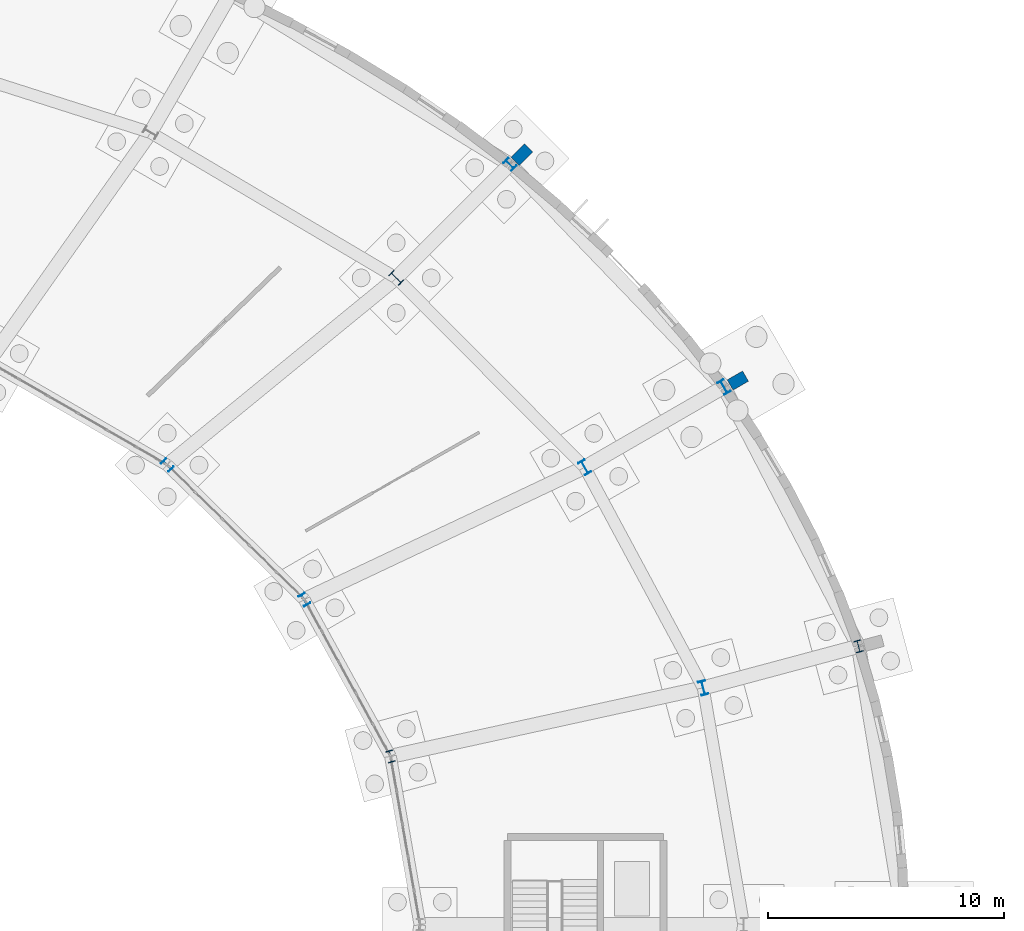
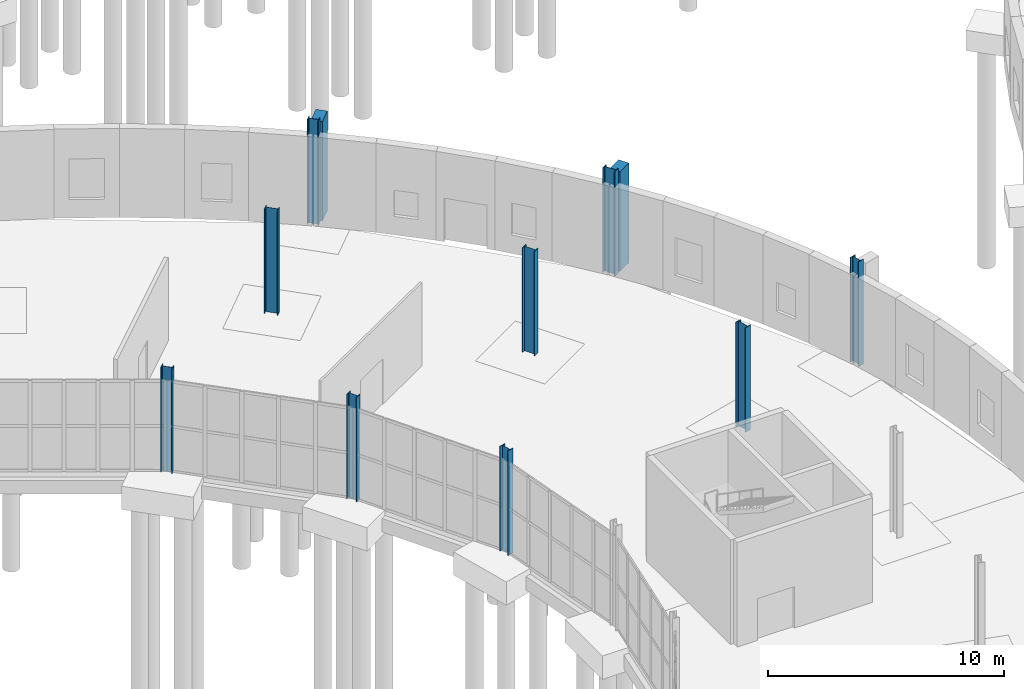
# One storey, part 40 of 118: 11 columns.
"""IFC4 building model written with IfcOpenShell, lengths in metres."""

import ifcopenshell
import ifcopenshell.guid

model = None  # the IFC model being written
_history = None  # IfcOwnerHistory: only IFC2X3 demands one
_inside = {}  # id of a spatial element -> (the spatial element, [elements in it])
_under = {}  # id of a project, library or spatial element -> (it, [spatial elements below it])
_declared = {}  # id of a project -> (the project, [libraries it declares])
_typed = {}  # id of a type object -> (the type object, [elements of that type])
_made_of = {}  # id of a material, layer set ... -> (it, [elements and type objects made of it])


def new_model(schema):
    """Start an empty IFC model of exactly this schema.

    Asked for "IFC4X3", IfcOpenShell would pick the latest addendum, in which some entities
    have other attributes; the version numbers below select the first issue.
    IFC2X3 requires an IfcOwnerHistory on every rooted entity: one is made here for all.
    """
    global model, _history
    if schema == "IFC4X3":
        model = ifcopenshell.file(schema_version=(4, 3, 0, 0))
    else:
        model = ifcopenshell.file(schema=schema)
    _inside.clear()
    _under.clear()
    _declared.clear()
    _typed.clear()
    _made_of.clear()
    _history = None
    if model.schema == "IFC2X3":
        org = make("IfcOrganization", Name="unknown")
        user = make(
            "IfcPersonAndOrganization",
            ThePerson=make("IfcPerson", FamilyName="unknown"),
            TheOrganization=org,
        )
        app = make(
            "IfcApplication",
            ApplicationDeveloper=org,
            Version="unknown",
            ApplicationFullName="unknown",
            ApplicationIdentifier="unknown",
        )
        _history = make(
            "IfcOwnerHistory",
            OwningUser=user,
            OwningApplication=app,
            ChangeAction="ADDED",
            CreationDate=0,
        )
    return model


def make(cls, **values):
    """One entity of the class cls with the attributes given. An attribute that is None is left unset."""
    return model.create_entity(
        cls, **{name: value for name, value in values.items() if value is not None}
    )


def rooted(cls, **values):
    """An entity with a GlobalId (a new one), such as an element, a storey or a relation."""
    return make(cls, GlobalId=ifcopenshell.guid.new(), OwnerHistory=_history, **values)


def si_unit(unit_type, name, prefix=None):
    """IfcSIUnit, for example si_unit("LENGTHUNIT", "METRE", prefix="MILLI")."""
    return make("IfcSIUnit", UnitType=unit_type, Prefix=prefix, Name=name)


def assignment(units):
    """IfcUnitAssignment: the units of a project."""
    return None if units is None else make("IfcUnitAssignment", Units=units)


def point(xyz):
    """IfcCartesianPoint."""
    return None if xyz is None else make("IfcCartesianPoint", Coordinates=xyz)


def direction(xyz):
    """IfcDirection."""
    return None if xyz is None else make("IfcDirection", DirectionRatios=xyz)


def frame(location, z_axis=None, x_axis=None):
    """IfcAxis2Placement3D, a coordinate frame: its origin and axes. An axis left out is left unset."""
    return make(
        "IfcAxis2Placement3D",
        Location=point(location),
        Axis=direction(z_axis),
        RefDirection=direction(x_axis),
    )


def frame_2d(location, x_axis=None):
    """IfcAxis2Placement2D, a coordinate frame in the plane: its origin and x axis."""
    return make(
        "IfcAxis2Placement2D", Location=point(location), RefDirection=direction(x_axis)
    )


def origin():
    """The frame at (0, 0, 0) with its axes left unset."""
    return frame((0.0, 0.0, 0.0))


def origin_2d():
    """The frame at (0, 0) in the plane with its x axis left unset."""
    return frame_2d((0.0, 0.0))


def place(relative_to, where):
    """IfcLocalPlacement: puts the frame where relative to a parent placement (None: the world)."""
    return make(
        "IfcLocalPlacement", PlacementRelTo=relative_to, RelativePlacement=where
    )


def context(
    kind, dimensions, precision=None, world=None, true_north=None, identifier=None
):
    """IfcGeometricRepresentationContext, for example the 3D "Model" context."""
    return make(
        "IfcGeometricRepresentationContext",
        ContextIdentifier=identifier,
        ContextType=kind,
        CoordinateSpaceDimension=dimensions,
        Precision=precision,
        WorldCoordinateSystem=world,
        TrueNorth=true_north,
    )


def subcontext(parent, identifier, kind, view, scale=None):
    """IfcGeometricRepresentationSubContext, for example "Body" below "Model"."""
    return make(
        "IfcGeometricRepresentationSubContext",
        ContextIdentifier=identifier,
        ContextType=kind,
        ParentContext=parent,
        TargetScale=scale,
        TargetView=view,
    )


def project(units=None, contexts=None):
    """IfcProject with its units and contexts."""
    return rooted(
        "IfcProject",
        Name="project",
        RepresentationContexts=contexts,
        UnitsInContext=assignment(units),
    )


def spatial(cls, under=None, at=None, **own):
    """A site, building, storey or space (cls), placed at a placement, below another one or the project."""
    s = rooted(cls, ObjectPlacement=at, **own)
    if under is not None:
        _under.setdefault(under.id(), (under, []))[1].append(s)
    return s


def profile(cls, at=None, kind="AREA", **sizes):
    """A parametric profile (cls). Its sizes go by their IFC names, for example OverallWidth=200.0."""
    return make(cls, ProfileType=kind, Position=at, **sizes)


def rectangle(**sizes):
    """IfcRectangleProfileDef."""
    return profile("IfcRectangleProfileDef", **sizes)


def i_section(**sizes):
    """IfcIShapeProfileDef."""
    return profile("IfcIShapeProfileDef", **sizes)


def extrude(swept, where, along, depth):
    """IfcExtrudedAreaSolid: the profile swept, set in the frame where, extruded along a direction by depth."""
    return make(
        "IfcExtrudedAreaSolid",
        SweptArea=swept,
        Position=where,
        ExtrudedDirection=direction(along),
        Depth=depth,
    )


def shape(context_of_items, identifier, shape_type, items):
    """IfcShapeRepresentation: the items that make up one representation, for example the "Body"."""
    return make(
        "IfcShapeRepresentation",
        ContextOfItems=context_of_items,
        RepresentationIdentifier=identifier,
        RepresentationType=shape_type,
        Items=items,
    )


def material(Name=None, Category=None):
    """IfcMaterial."""
    return make("IfcMaterial", Name=Name, Category=Category)


def material_profile(
    of_material, cross_section, Name=None, Category=None, Priority=None
):
    """IfcMaterialProfile: a cross section and its material."""
    return make(
        "IfcMaterialProfile",
        Name=Name,
        Material=of_material,
        Profile=cross_section,
        Priority=Priority,
        Category=Category,
    )


def profile_set(profiles, Name=None, composite=None):
    """IfcMaterialProfileSet."""
    return make(
        "IfcMaterialProfileSet",
        Name=Name,
        MaterialProfiles=profiles,
        CompositeProfile=composite,
    )


def made_of(thing, what):
    """Note that an element or type object is made of a material, layer set ...; save() writes the relation."""
    if what is not None:
        _made_of.setdefault(what.id(), (what, []))[1].append(thing)
    return thing


def type_object(cls, material=None, **own):
    """A type object (cls), such as IfcWallType, which elements share."""
    return made_of(rooted(cls, **own), material)


def element(
    cls,
    number,
    at=None,
    inside=None,
    cuts=None,
    type_object=None,
    material=None,
    context=None,
    identifier="Body",
    shape_type=None,
    held_by="IfcProductDefinitionShape",
    body=None,
    shapes=None,
    **own,
):
    """One element of the class cls, such as IfcWall. Its Tag is "e" and its number.

    at: its placement. inside: the storey or other place that contains it. cuts: it is an
    opening in that element (IfcRelVoidsElement). A single representation is given by context,
    identifier, shape_type and body (its items); several are given by shapes. held_by: the class
    of the entity that holds the representations. save() writes the other relations.
    """
    e = rooted(cls, Tag="e%d" % number, ObjectPlacement=at, **own)
    if body is not None:
        shapes = [shape(context, identifier, shape_type, body)]
    if shapes is not None:
        e.Representation = make(held_by, Representations=shapes)
    if inside is not None:
        _inside.setdefault(inside.id(), (inside, []))[1].append(e)
    if cuts is not None:
        rooted(
            "IfcRelVoidsElement", RelatingBuildingElement=cuts, RelatedOpeningElement=e
        )
    if type_object is not None:
        _typed.setdefault(type_object.id(), (type_object, []))[1].append(e)
    return made_of(e, material)


def aggregate(whole, parts):
    """IfcRelAggregates: a whole, such as a stair, and the parts it consists of."""
    return rooted("IfcRelAggregates", RelatingObject=whole, RelatedObjects=parts)


def save(model, path):
    """Write the relations noted so far, then the file.

    IfcRelAggregates (storeys below a building ...), IfcRelContainedInSpatialStructure (elements
    in a storey), IfcRelDefinesByType, IfcRelAssociatesMaterial and IfcRelDeclares: one each for
    every whole, place, type object, material and project.
    """
    for whole, parts in _under.values():
        aggregate(whole, parts)
    for where, things in _inside.values():
        rooted(
            "IfcRelContainedInSpatialStructure",
            RelatedElements=things,
            RelatingStructure=where,
        )
    for kind, things in _typed.values():
        rooted("IfcRelDefinesByType", RelatedObjects=things, RelatingType=kind)
    for what, things in _made_of.values():
        rooted("IfcRelAssociatesMaterial", RelatedObjects=things, RelatingMaterial=what)
    for by, libraries in _declared.values():
        rooted("IfcRelDeclares", RelatingContext=by, RelatedDefinitions=libraries)
    model.write(path)


model = new_model("IFC4")

# Units and contexts
model_context = context("Model", 3, precision=1e-05, world=origin(), true_north=direction((0.0, 1.0)))
body_context = subcontext(model_context, "Body", "Model", "MODEL_VIEW")
ifc_project = project(units=[si_unit("LENGTHUNIT", "METRE"), si_unit("AREAUNIT", "SQUARE_METRE"), si_unit("VOLUMEUNIT", "CUBIC_METRE"), si_unit("PLANEANGLEUNIT", "RADIAN"), si_unit("MASSUNIT", "GRAM", prefix="KILO")], contexts=[model_context])

# Site, building, storey
site_placement = place(None, origin())
site = spatial("IfcSite", under=ifc_project, at=site_placement, CompositionType="ELEMENT")
building_placement = place(site_placement, origin())
building = spatial("IfcBuilding", under=site, at=building_placement, Name="Kildeholm Park Wholesale Market", CompositionType="ELEMENT")
storey_placement = place(building_placement, origin())
storey = spatial("IfcBuildingStorey", under=building, at=storey_placement, Name="L00", CompositionType="ELEMENT", Elevation=0.0)

# Columns
ifc_material_1 = material(Name="Steel S355", Category="steel")
ifc_material_profile_1 = material_profile(ifc_material_1, i_section(OverallWidth=0.300048828125, OverallDepth=0.5, WebThickness=0.014404296875, FlangeThickness=0.028076171875, FilletRadius=0.027099609375, at=origin_2d()), Name="HEB 500")
ifc_profile_set_1 = profile_set([ifc_material_profile_1], Name="Steel S355")
column_type_1 = type_object("IfcColumnType", Name="Column C-S07 HEB 500", PredefinedType="COLUMN", material=ifc_profile_set_1)
for number, where, z_axis, x_axis, name in (
    (1, (134.256103515625, 96.617919921875, 0.0), (0.0, 0.0, 1.0), (0.965925826289, 0.258819045103, 0.0), "Column V1-IN-01 L00 COL-0010"),
    (2, (154.05810546875, 101.27587890625, 0.0), (0.0, 0.0, 1.0), (0.965925826289, 0.258819045103, 0.0), "Column V1-OT-01 L00 COL-0016"),
    (3, (130.610107421875, 103.25, 0.0), (0.0, 0.0, 1.0), (0.866025403784, 0.5, 0.0), "Column V1-IN-02 L00 COL-0019"),
    (4, (124.80908203125, 108.945068359375, 0.0), (0.0, 0.0, 1.0), (0.707106781187, 0.707106781187, 0.0), "Column V1-IN-03 L00 COL-0028"),
    (5, (139.304931640625, 121.673095703125, 0.0), (0.0, 0.0, 1.0), (0.707106781187, 0.707106781187, 0.0), "Column V1-OT-03 L00 COL-0034"),
):
    element("IfcColumn", number, at=place(storey_placement, frame(where, z_axis=z_axis, x_axis=x_axis)), inside=storey, type_object=column_type_1, Name=name, PredefinedType="COLUMN", context=body_context, shape_type="SweptSolid", body=[
        extrude(i_section(OverallWidth=0.300048828125, OverallDepth=0.5, WebThickness=0.014404296875, FlangeThickness=0.028076171875, FilletRadius=0.027099609375, at=origin_2d()), origin(), (0.0, 0.0, 1.0), 5.39990234375),
    ])
ifc_material_profile_2 = material_profile(ifc_material_1, i_section(OverallWidth=0.300048828125, OverallDepth=0.60009765625, WebThickness=0.015380859375, FlangeThickness=0.030029296875, FilletRadius=0.027099609375, at=origin_2d()), Name="HEB 600")
ifc_profile_set_2 = profile_set([ifc_material_profile_2], Name="Steel S355")
column_type_2 = type_object("IfcColumnType", Name="Column C-S08 HEB 600", PredefinedType="COLUMN", material=ifc_profile_set_2)
for number, where, z_axis, x_axis, name in (
    (6, (147.489013671875, 99.51611328125, 0.0), (0.0, 0.0, 1.0), (0.965925826289, 0.258819045103, 0.0), "Column V1-MD-01 L00 COL-0013"),
    (7, (142.47412109375, 108.85009765625, 0.0), (0.0, 0.0, 1.0), (0.866025403784, 0.5, 0.0), "Column V1-MD-02 L00 COL-0022"),
    (8, (148.363037109375, 112.25, 0.0), (0.0, 0.0, 1.0), (0.866025403784, 0.5, 0.0), "Column V1-OT-02 L00 COL-0025"),
    (9, (134.4970703125, 116.864990234375, 0.0), (0.0, 0.0, 1.0), (0.707106781187, 0.707106781187, 0.0), "Column V1-MD-03 L00 COL-0031"),
):
    element("IfcColumn", number, at=place(storey_placement, frame(where, z_axis=z_axis, x_axis=x_axis)), inside=storey, type_object=column_type_2, Name=name, PredefinedType="COLUMN", context=body_context, shape_type="SweptSolid", body=[
        extrude(i_section(OverallWidth=0.300048828125, OverallDepth=0.60009765625, WebThickness=0.015380859375, FlangeThickness=0.030029296875, FilletRadius=0.027099609375, at=origin_2d()), origin(), (0.0, 0.0, 1.0), 5.39990234375),
    ])
ifc_material_2 = material(Name="Precast concrete C40/50", Category="concrete")
ifc_material_profile_3 = material_profile(ifc_material_2, rectangle(XDim=0.800048828125, YDim=0.5, at=origin_2d()), Name="PIL 800x500")
ifc_profile_set_3 = profile_set([ifc_material_profile_3], Name="Precast concrete C40/50")
column_type_3 = type_object("IfcColumnType", Name="Column PL-M01 PIL 800x500", PredefinedType="PILASTER", material=ifc_profile_set_3)
column_1_placement = place(storey_placement, frame((139.81298828125, 122.0791015625, 0.0), z_axis=(0.0, 0.0, 1.0), x_axis=(0.707106781187, 0.707106781187, 0.0)))
element("IfcColumn", 10, at=column_1_placement, inside=storey, type_object=column_type_3, Name="Market ring pilaster 4 COL-0036", PredefinedType="PILASTER", context=body_context, shape_type="SweptSolid", body=[
    extrude(rectangle(XDim=0.800048828125, YDim=0.5, at=origin_2d()), origin(), (0.0, 0.0, 1.0), 5.14990234375),
])
ifc_material_profile_4 = material_profile(ifc_material_2, rectangle(XDim=0.75, YDim=0.5, at=origin_2d()), Name="PIL 750x500")
ifc_profile_set_4 = profile_set([ifc_material_profile_4], Name="Precast concrete C40/50")
column_type_4 = type_object("IfcColumnType", Name="Column PL-M02 PIL 750x500", PredefinedType="PILASTER", material=ifc_profile_set_4)
column_2_placement = place(storey_placement, frame((148.952880859375, 112.52197265625, 0.0), z_axis=(0.0, 0.0, 1.0), x_axis=(0.866025403784, 0.5, 0.0)))
element("IfcColumn", 11, at=column_2_placement, inside=storey, type_object=column_type_4, Name="Market ring pilaster 3 COL-0027", PredefinedType="PILASTER", context=body_context, shape_type="SweptSolid", body=[
    extrude(rectangle(XDim=0.75, YDim=0.5, at=origin_2d()), origin(), (0.0, 0.0, 1.0), 5.14990234375),
])

save(model, "model.ifc")
